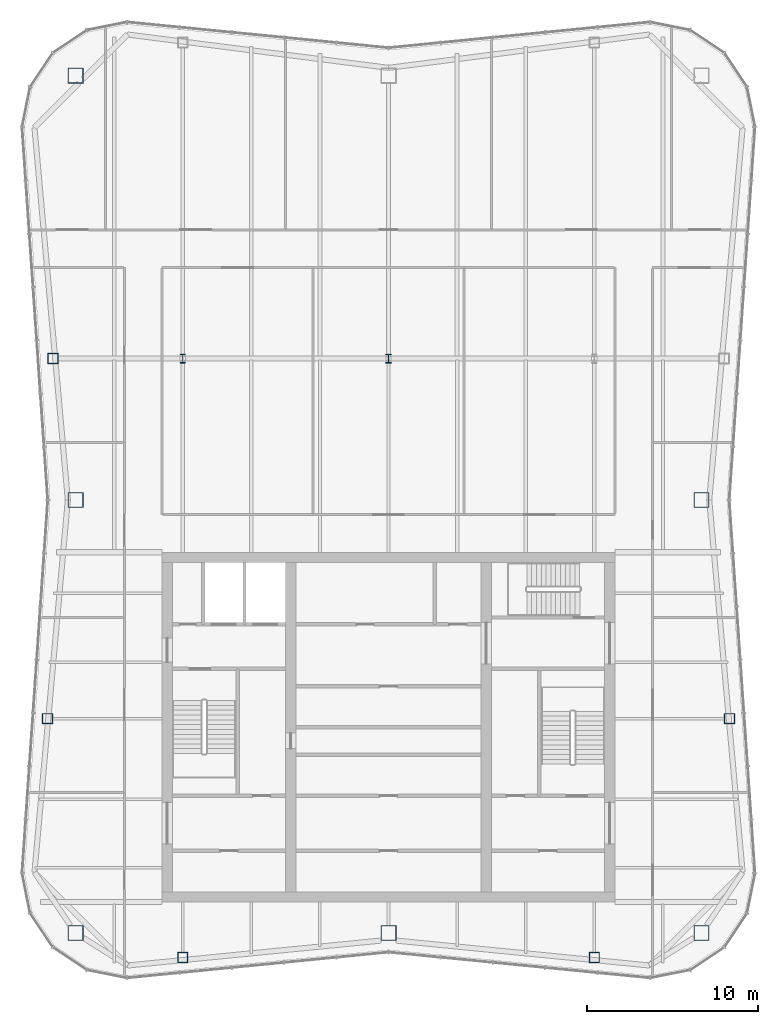
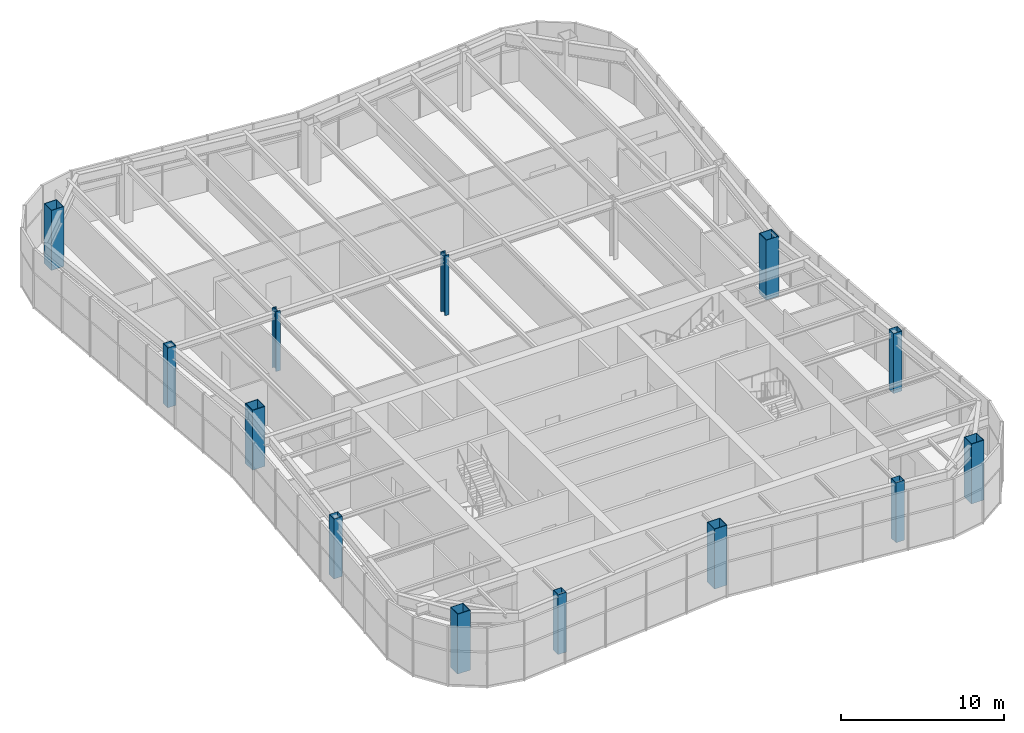
# One storey, part 1 of 13: 13 columns.
"""IFC4 building model written with IfcOpenShell, lengths in metres."""

from ifc_helpers import new_model, si_unit, direction, frame, origin, origin_2d, place, context, subcontext, project, spatial, hollow_rectangle, i_section, extrude, material, material_profile, profile_set, type_object, element, save


model = new_model("IFC4")

# Units and contexts
model_context = context("Model", 3, precision=1e-05, world=origin(), true_north=direction((0.0, 1.0)))
body_context = subcontext(model_context, "Body", "Model", "MODEL_VIEW")
ifc_project = project(units=[si_unit("LENGTHUNIT", "METRE"), si_unit("AREAUNIT", "SQUARE_METRE"), si_unit("VOLUMEUNIT", "CUBIC_METRE"), si_unit("PLANEANGLEUNIT", "RADIAN"), si_unit("MASSUNIT", "GRAM", prefix="KILO")], contexts=[model_context])

# Site, building, storey
site_placement = place(None, origin())
site = spatial("IfcSite", under=ifc_project, at=site_placement, CompositionType="ELEMENT")
building_placement = place(site_placement, origin())
building = spatial("IfcBuilding", under=site, at=building_placement, Name="Verdant Reach Tower", CompositionType="ELEMENT")
storey_placement = place(building_placement, frame((0.0, 0.0, 359.5)))
storey = spatial("IfcBuildingStorey", under=building, at=storey_placement, Name="L81 Plant", CompositionType="ELEMENT", Elevation=359.5)

# Columns
ifc_material = material(Name="Steel S460", Category="steel")
ifc_material_profile_1 = material_profile(ifc_material, i_section(OverallWidth=0.305908203125, OverallDepth=0.52392578125, WebThickness=0.012451171875, FlangeThickness=0.0400390625, FilletRadius=0.027099609375, at=origin_2d()), Name="HEM 500")
ifc_profile_set_1 = profile_set([ifc_material_profile_1], Name="Steel S460")
column_type_1 = type_object("IfcColumnType", Name="ST-COL-HEM500", PredefinedType="COLUMN", material=ifc_profile_set_1)
for number, where, z_axis, x_axis, name in (
    (1, (-12.0, 49.5, 0.0), (0.0, 0.0, 1.0), (1.0, 0.0, 0.0), "Interior column 1, L81 Plant"),
    (2, (0.0, 49.5, 0.0), (0.0, 0.0, 1.0), (1.0, 0.0, 0.0), "Interior column 2, L81 Plant"),
):
    element("IfcColumn", number, at=place(storey_placement, frame(where, z_axis=z_axis, x_axis=x_axis)), inside=storey, type_object=column_type_1, Name=name, PredefinedType="COLUMN", context=body_context, shape_type="SweptSolid", body=[
        extrude(i_section(OverallWidth=0.305908203125, OverallDepth=0.52392578125, WebThickness=0.012451171875, FlangeThickness=0.0400390625, FilletRadius=0.027099609375, at=origin_2d()), origin(), (0.0, 0.0, 1.0), 4.5),
    ])
ifc_material_profile_2 = material_profile(ifc_material, hollow_rectangle(XDim=0.60009765625, YDim=0.60009765625, WallThickness=0.02490234375, at=origin_2d()), Name="WB 600x600x25")
ifc_profile_set_2 = profile_set([ifc_material_profile_2], Name="Steel S460")
column_type_2 = type_object("IfcColumnType", Name="ST-COL-WB600x600x25", PredefinedType="COLUMN", material=ifc_profile_set_2)
for number, where, z_axis, x_axis, name in (
    (3, (-12.0, 14.569580078125, 0.0), (0.0, 0.0, 1.0), (1.0, 0.0, 0.0), "Perimeter column south 1, L81 Plant"),
    (4, (12.0, 14.569580078125, 0.0), (0.0, 0.0, 1.0), (1.0, 0.0, 0.0), "Perimeter column south 2, L81 Plant"),
    (5, (19.87939453125, 28.5, 0.0), (0.0, 0.0, 1.0), (1.0, 0.0, 0.0), "Perimeter column east 1, L81 Plant"),
    (6, (-19.87939453125, 28.5, 0.0), (0.0, 0.0, 1.0), (1.0, 0.0, 0.0), "Perimeter column west 1, L81 Plant"),
    (7, (-19.569091796875, 49.5, 0.0), (0.0, 0.0, 1.0), (1.0, 0.0, 0.0), "Perimeter column west 2, L81 Plant"),
):
    element("IfcColumn", number, at=place(storey_placement, frame(where, z_axis=z_axis, x_axis=x_axis)), inside=storey, type_object=column_type_2, Name=name, PredefinedType="COLUMN", context=body_context, shape_type="SweptSolid", body=[
        extrude(hollow_rectangle(XDim=0.60009765625, YDim=0.60009765625, WallThickness=0.02490234375, at=origin_2d()), origin(), (0.0, 0.0, 1.0), 4.5),
    ])
ifc_material_profile_3 = material_profile(ifc_material, hollow_rectangle(XDim=0.89990234375, YDim=0.89990234375, WallThickness=0.0400390625, at=origin_2d()), Name="WB 900x900x40")
ifc_profile_set_3 = profile_set([ifc_material_profile_3], Name="Steel S460")
column_type_3 = type_object("IfcColumnType", Name="ST-COL-WB900x900x40", PredefinedType="COLUMN", material=ifc_profile_set_3)
for number, where, z_axis, x_axis, name in (
    (8, (-18.25, 66.0, 0.0), (0.0, 0.0, 1.0), (1.0, 0.0, 0.0), "Mega column north-west, L81 Plant"),
    (9, (18.25, 41.25, 0.0), (0.0, 0.0, 1.0), (1.0, 0.0, 0.0), "Mega column east, L81 Plant"),
    (10, (18.25, 16.0, 0.0), (0.0, 0.0, 1.0), (1.0, 0.0, 0.0), "Mega column south-east, L81 Plant"),
    (11, (0.0, 16.0, 0.0), (0.0, 0.0, 1.0), (1.0, 0.0, 0.0), "Mega column south, L81 Plant"),
    (12, (-18.25, 16.0, 0.0), (0.0, 0.0, 1.0), (1.0, 0.0, 0.0), "Mega column south-west, L81 Plant"),
    (13, (-18.25, 41.25, 0.0), (0.0, 0.0, 1.0), (1.0, 0.0, 0.0), "Mega column west, L81 Plant"),
):
    element("IfcColumn", number, at=place(storey_placement, frame(where, z_axis=z_axis, x_axis=x_axis)), inside=storey, type_object=column_type_3, Name=name, PredefinedType="COLUMN", context=body_context, shape_type="SweptSolid", body=[
        extrude(hollow_rectangle(XDim=0.89990234375, YDim=0.89990234375, WallThickness=0.0400390625, at=origin_2d()), origin(), (0.0, 0.0, 1.0), 4.5),
    ])

save(model, "model.ifc")
